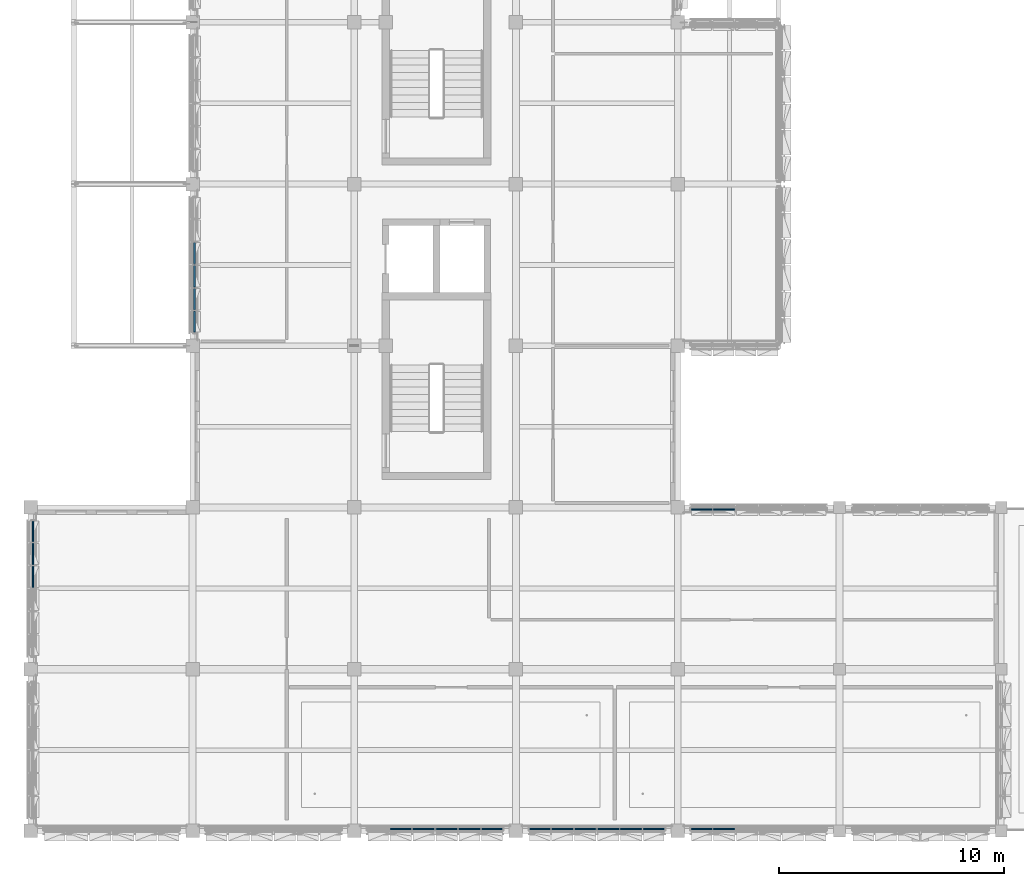
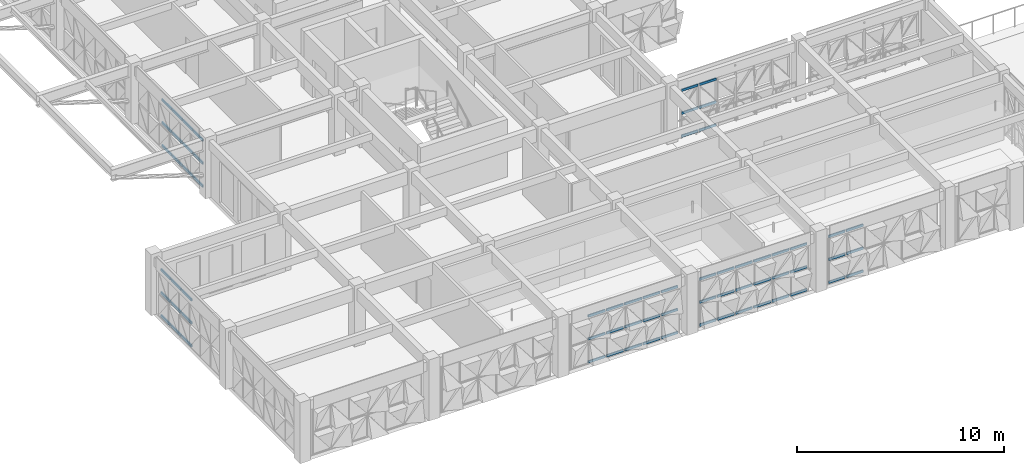
# One storey, part 19 of 99: 66 members, 6 elements without a shape of their own.
"""IFC4 building model written with IfcOpenShell, lengths in metres."""

from ifc_helpers import new_model, si_unit, direction, frame, origin, origin_2d, place, context, subcontext, project, spatial, rectangle, extrude, material, material_profile, profile_set, type_object, element, aggregate, save


model = new_model("IFC4")

# Units and contexts
model_context = context("Model", 3, precision=1e-05, world=origin(), true_north=direction((0.0, 1.0)))
body_context = subcontext(model_context, "Body", "Model", "MODEL_VIEW")
ifc_project = project(units=[si_unit("LENGTHUNIT", "METRE"), si_unit("AREAUNIT", "SQUARE_METRE"), si_unit("VOLUMEUNIT", "CUBIC_METRE"), si_unit("PLANEANGLEUNIT", "RADIAN"), si_unit("MASSUNIT", "GRAM", prefix="KILO")], contexts=[model_context])

# Site, building, storey
site_placement = place(None, origin())
site = spatial("IfcSite", under=ifc_project, at=site_placement, CompositionType="ELEMENT")
building_placement = place(site_placement, origin())
building = spatial("IfcBuilding", under=site, at=building_placement, Name="Alvorim Cloister Faculty of Sciences", CompositionType="ELEMENT")
storey_placement = place(building_placement, frame((0.0, 0.0, 12.14990234375)))
storey = spatial("IfcBuildingStorey", under=building, at=storey_placement, Name="L03", CompositionType="ELEMENT", Elevation=12.14990234375)

# Curtain wall, members
ifc_material_1 = material(Name="Aluminium and Low-E Glass Curtain Wall", Category="aluminium")
curtain_wall_type = type_object("IfcCurtainWallType", Name="CW-TRI-6120x2850", PredefinedType="USERDEFINED", material=ifc_material_1)
curtain_wall_1_placement = place(storey_placement, origin())
curtain_wall_1 = element("IfcCurtainWall", 1, at=curtain_wall_1_placement, inside=storey, type_object=curtain_wall_type, Name="L03 Diagonal Cassette Curtain Wall CW-0100", ObjectType="UNITISED CURTAIN WALL", PredefinedType="USERDEFINED")
ifc_material_2 = material(Name="Aluminium Alloy 6063-T6", Category="aluminium")
ifc_material_profile = material_profile(ifc_material_2, rectangle(XDim=0.06494140625, YDim=0.139892578125, at=origin_2d()), Name="ALU-TRN-65x140")
ifc_profile_set = profile_set([ifc_material_profile], Name="Aluminium Alloy 6063-T6")
member_type = type_object("IfcMemberType", Name="CW-TRN-65x140", PredefinedType="USERDEFINED", material=ifc_profile_set)
member_1_placement = place(storey_placement, frame((7.2900390625, 22.205078125, 0.070068359375), z_axis=(0.0, 1.0, 0.0), x_axis=(-1.0, 0.0, 0.0)))
member_1 = element("IfcMember", 2, at=member_1_placement, type_object=member_type, Name="CW-0100 Transom 1.1", ObjectType="TRANSOM", PredefinedType="USERDEFINED", context=body_context, shape_type="SweptSolid", body=[
    extrude(rectangle(XDim=0.06494140625, YDim=0.139892578125, at=origin_2d()), origin(), (0.0, 0.0, 1.0), 0.92236328125),
])
member_2_placement = place(storey_placement, frame((7.2900390625, 22.205078125, 1.425048828125), z_axis=(0.0, 1.0, 0.0), x_axis=(-1.0, 0.0, 0.0)))
member_2 = element("IfcMember", 3, at=member_2_placement, type_object=member_type, Name="CW-0100 Transom 1.2", ObjectType="TRANSOM", PredefinedType="USERDEFINED", context=body_context, shape_type="SweptSolid", body=[
    extrude(rectangle(XDim=0.06494140625, YDim=0.139892578125, at=origin_2d()), origin(), (0.0, 0.0, 1.0), 0.92236328125),
])
member_3_placement = place(storey_placement, frame((7.2900390625, 22.205078125, 2.780029296875), z_axis=(0.0, 1.0, 0.0), x_axis=(-1.0, 0.0, 0.0)))
member_3 = element("IfcMember", 4, at=member_3_placement, type_object=member_type, Name="CW-0100 Transom 1.3", ObjectType="TRANSOM", PredefinedType="USERDEFINED", context=body_context, shape_type="SweptSolid", body=[
    extrude(rectangle(XDim=0.06494140625, YDim=0.139892578125, at=origin_2d()), origin(), (0.0, 0.0, 1.0), 0.92236328125),
])
member_4_placement = place(storey_placement, frame((7.2900390625, 23.1923828125, 0.070068359375), z_axis=(0.0, 1.0, 0.0), x_axis=(-1.0, 0.0, 0.0)))
member_4 = element("IfcMember", 5, at=member_4_placement, type_object=member_type, Name="CW-0100 Transom 2.1", ObjectType="TRANSOM", PredefinedType="USERDEFINED", context=body_context, shape_type="SweptSolid", body=[
    extrude(rectangle(XDim=0.06494140625, YDim=0.139892578125, at=origin_2d()), origin(), (0.0, 0.0, 1.0), 0.955078125),
])
member_5_placement = place(storey_placement, frame((7.2900390625, 23.1923828125, 1.425048828125), z_axis=(0.0, 1.0, 0.0), x_axis=(-1.0, 0.0, 0.0)))
member_5 = element("IfcMember", 6, at=member_5_placement, type_object=member_type, Name="CW-0100 Transom 2.2", ObjectType="TRANSOM", PredefinedType="USERDEFINED", context=body_context, shape_type="SweptSolid", body=[
    extrude(rectangle(XDim=0.06494140625, YDim=0.139892578125, at=origin_2d()), origin(), (0.0, 0.0, 1.0), 0.955078125),
])
member_6_placement = place(storey_placement, frame((7.2900390625, 23.1923828125, 2.780029296875), z_axis=(0.0, 1.0, 0.0), x_axis=(-1.0, 0.0, 0.0)))
member_6 = element("IfcMember", 7, at=member_6_placement, type_object=member_type, Name="CW-0100 Transom 2.3", ObjectType="TRANSOM", PredefinedType="USERDEFINED", context=body_context, shape_type="SweptSolid", body=[
    extrude(rectangle(XDim=0.06494140625, YDim=0.139892578125, at=origin_2d()), origin(), (0.0, 0.0, 1.0), 0.955078125),
])
member_7_placement = place(storey_placement, frame((7.2900390625, 24.21240234375, 0.070068359375), z_axis=(0.0, 1.0, 0.0), x_axis=(-1.0, 0.0, 0.0)))
member_7 = element("IfcMember", 8, at=member_7_placement, type_object=member_type, Name="CW-0100 Transom 3.1", ObjectType="TRANSOM", PredefinedType="USERDEFINED", context=body_context, shape_type="SweptSolid", body=[
    extrude(rectangle(XDim=0.06494140625, YDim=0.139892578125, at=origin_2d()), origin(), (0.0, 0.0, 1.0), 0.955078125),
])
member_8_placement = place(storey_placement, frame((7.2900390625, 24.21240234375, 1.425048828125), z_axis=(0.0, 1.0, 0.0), x_axis=(-1.0, 0.0, 0.0)))
member_8 = element("IfcMember", 9, at=member_8_placement, type_object=member_type, Name="CW-0100 Transom 3.2", ObjectType="TRANSOM", PredefinedType="USERDEFINED", context=body_context, shape_type="SweptSolid", body=[
    extrude(rectangle(XDim=0.06494140625, YDim=0.139892578125, at=origin_2d()), origin(), (0.0, 0.0, 1.0), 0.955078125),
])
member_9_placement = place(storey_placement, frame((7.2900390625, 24.21240234375, 2.780029296875), z_axis=(0.0, 1.0, 0.0), x_axis=(-1.0, 0.0, 0.0)))
member_9 = element("IfcMember", 10, at=member_9_placement, type_object=member_type, Name="CW-0100 Transom 3.3", ObjectType="TRANSOM", PredefinedType="USERDEFINED", context=body_context, shape_type="SweptSolid", body=[
    extrude(rectangle(XDim=0.06494140625, YDim=0.139892578125, at=origin_2d()), origin(), (0.0, 0.0, 1.0), 0.955078125),
])
member_10_placement = place(storey_placement, frame((7.2900390625, 25.232421875, 0.070068359375), z_axis=(0.0, 1.0, 0.0), x_axis=(-1.0, 0.0, 0.0)))
member_10 = element("IfcMember", 11, at=member_10_placement, type_object=member_type, Name="CW-0100 Transom 4.1", ObjectType="TRANSOM", PredefinedType="USERDEFINED", context=body_context, shape_type="SweptSolid", body=[
    extrude(rectangle(XDim=0.06494140625, YDim=0.139892578125, at=origin_2d()), origin(), (0.0, 0.0, 1.0), 0.955078125),
])
member_11_placement = place(storey_placement, frame((7.2900390625, 25.232421875, 1.425048828125), z_axis=(0.0, 1.0, 0.0), x_axis=(-1.0, 0.0, 0.0)))
member_11 = element("IfcMember", 12, at=member_11_placement, type_object=member_type, Name="CW-0100 Transom 4.2", ObjectType="TRANSOM", PredefinedType="USERDEFINED", context=body_context, shape_type="SweptSolid", body=[
    extrude(rectangle(XDim=0.06494140625, YDim=0.139892578125, at=origin_2d()), origin(), (0.0, 0.0, 1.0), 0.955078125),
])
member_12_placement = place(storey_placement, frame((7.2900390625, 25.232421875, 2.780029296875), z_axis=(0.0, 1.0, 0.0), x_axis=(-1.0, 0.0, 0.0)))
member_12 = element("IfcMember", 13, at=member_12_placement, type_object=member_type, Name="CW-0100 Transom 4.3", ObjectType="TRANSOM", PredefinedType="USERDEFINED", context=body_context, shape_type="SweptSolid", body=[
    extrude(rectangle(XDim=0.06494140625, YDim=0.139892578125, at=origin_2d()), origin(), (0.0, 0.0, 1.0), 0.955078125),
])
aggregate(curtain_wall_1, [member_1, member_2, member_3, member_4, member_5, member_6, member_7, member_8, member_9, member_10, member_11, member_12])

curtain_wall_2_placement = place(storey_placement, origin())
curtain_wall_2 = element("IfcCurtainWall", 14, at=curtain_wall_2_placement, inside=storey, type_object=curtain_wall_type, Name="L03 Diagonal Cassette Curtain Wall CW-0144", ObjectType="UNITISED CURTAIN WALL", PredefinedType="USERDEFINED")
member_13_placement = place(storey_placement, frame((29.405029296875, 14.31005859375, 0.070068359375), z_axis=(1.0, 0.0, 0.0), x_axis=(0.0, 1.0, 0.0)))
member_13 = element("IfcMember", 15, at=member_13_placement, type_object=member_type, Name="CW-0144 Transom 1.1", ObjectType="TRANSOM", PredefinedType="USERDEFINED", context=body_context, shape_type="SweptSolid", body=[
    extrude(rectangle(XDim=0.06494140625, YDim=0.139892578125, at=origin_2d()), origin(), (0.0, 0.0, 1.0), 0.92236328125),
])
member_14_placement = place(storey_placement, frame((29.405029296875, 14.31005859375, 1.425048828125), z_axis=(1.0, 0.0, 0.0), x_axis=(0.0, 1.0, 0.0)))
member_14 = element("IfcMember", 16, at=member_14_placement, type_object=member_type, Name="CW-0144 Transom 1.2", ObjectType="TRANSOM", PredefinedType="USERDEFINED", context=body_context, shape_type="SweptSolid", body=[
    extrude(rectangle(XDim=0.06494140625, YDim=0.139892578125, at=origin_2d()), origin(), (0.0, 0.0, 1.0), 0.92236328125),
])
member_15_placement = place(storey_placement, frame((29.405029296875, 14.31005859375, 2.780029296875), z_axis=(1.0, 0.0, 0.0), x_axis=(0.0, 1.0, 0.0)))
member_15 = element("IfcMember", 17, at=member_15_placement, type_object=member_type, Name="CW-0144 Transom 1.3", ObjectType="TRANSOM", PredefinedType="USERDEFINED", context=body_context, shape_type="SweptSolid", body=[
    extrude(rectangle(XDim=0.06494140625, YDim=0.139892578125, at=origin_2d()), origin(), (0.0, 0.0, 1.0), 0.92236328125),
])
member_16_placement = place(storey_placement, frame((30.392578125, 14.31005859375, 0.070068359375), z_axis=(1.0, 0.0, 0.0), x_axis=(0.0, 1.0, 0.0)))
member_16 = element("IfcMember", 18, at=member_16_placement, type_object=member_type, Name="CW-0144 Transom 2.1", ObjectType="TRANSOM", PredefinedType="USERDEFINED", context=body_context, shape_type="SweptSolid", body=[
    extrude(rectangle(XDim=0.06494140625, YDim=0.139892578125, at=origin_2d()), origin(), (0.0, 0.0, 1.0), 0.954833984375),
])
member_17_placement = place(storey_placement, frame((30.392578125, 14.31005859375, 1.425048828125), z_axis=(1.0, 0.0, 0.0), x_axis=(0.0, 1.0, 0.0)))
member_17 = element("IfcMember", 19, at=member_17_placement, type_object=member_type, Name="CW-0144 Transom 2.2", ObjectType="TRANSOM", PredefinedType="USERDEFINED", context=body_context, shape_type="SweptSolid", body=[
    extrude(rectangle(XDim=0.06494140625, YDim=0.139892578125, at=origin_2d()), origin(), (0.0, 0.0, 1.0), 0.954833984375),
])
member_18_placement = place(storey_placement, frame((30.392578125, 14.31005859375, 2.780029296875), z_axis=(1.0, 0.0, 0.0), x_axis=(0.0, 1.0, 0.0)))
member_18 = element("IfcMember", 20, at=member_18_placement, type_object=member_type, Name="CW-0144 Transom 2.3", ObjectType="TRANSOM", PredefinedType="USERDEFINED", context=body_context, shape_type="SweptSolid", body=[
    extrude(rectangle(XDim=0.06494140625, YDim=0.139892578125, at=origin_2d()), origin(), (0.0, 0.0, 1.0), 0.954833984375),
])
aggregate(curtain_wall_2, [member_13, member_14, member_15, member_16, member_17, member_18])

curtain_wall_3_placement = place(storey_placement, origin())
curtain_wall_3 = element("IfcCurtainWall", 21, at=curtain_wall_3_placement, inside=storey, type_object=curtain_wall_type, Name="L03 Diagonal Cassette Curtain Wall CW-0148", ObjectType="UNITISED CURTAIN WALL", PredefinedType="USERDEFINED")
member_19_placement = place(storey_placement, frame((29.405029296875, 0.090087890625, 0.070068359375), z_axis=(1.0, 0.0, 0.0), x_axis=(0.0, 1.0, 0.0)))
member_19 = element("IfcMember", 22, at=member_19_placement, type_object=member_type, Name="CW-0148 Transom 1.1", ObjectType="TRANSOM", PredefinedType="USERDEFINED", context=body_context, shape_type="SweptSolid", body=[
    extrude(rectangle(XDim=0.06494140625, YDim=0.139892578125, at=origin_2d()), origin(), (0.0, 0.0, 1.0), 0.92236328125),
])
member_20_placement = place(storey_placement, frame((29.405029296875, 0.090087890625, 1.425048828125), z_axis=(1.0, 0.0, 0.0), x_axis=(0.0, 1.0, 0.0)))
member_20 = element("IfcMember", 23, at=member_20_placement, type_object=member_type, Name="CW-0148 Transom 1.2", ObjectType="TRANSOM", PredefinedType="USERDEFINED", context=body_context, shape_type="SweptSolid", body=[
    extrude(rectangle(XDim=0.06494140625, YDim=0.139892578125, at=origin_2d()), origin(), (0.0, 0.0, 1.0), 0.92236328125),
])
member_21_placement = place(storey_placement, frame((29.405029296875, 0.090087890625, 2.780029296875), z_axis=(1.0, 0.0, 0.0), x_axis=(0.0, 1.0, 0.0)))
member_21 = element("IfcMember", 24, at=member_21_placement, type_object=member_type, Name="CW-0148 Transom 1.3", ObjectType="TRANSOM", PredefinedType="USERDEFINED", context=body_context, shape_type="SweptSolid", body=[
    extrude(rectangle(XDim=0.06494140625, YDim=0.139892578125, at=origin_2d()), origin(), (0.0, 0.0, 1.0), 0.92236328125),
])
member_22_placement = place(storey_placement, frame((30.392578125, 0.090087890625, 0.070068359375), z_axis=(1.0, 0.0, 0.0), x_axis=(0.0, 1.0, 0.0)))
member_22 = element("IfcMember", 25, at=member_22_placement, type_object=member_type, Name="CW-0148 Transom 2.1", ObjectType="TRANSOM", PredefinedType="USERDEFINED", context=body_context, shape_type="SweptSolid", body=[
    extrude(rectangle(XDim=0.06494140625, YDim=0.139892578125, at=origin_2d()), origin(), (0.0, 0.0, 1.0), 0.954833984375),
])
member_23_placement = place(storey_placement, frame((30.392578125, 0.090087890625, 1.425048828125), z_axis=(1.0, 0.0, 0.0), x_axis=(0.0, 1.0, 0.0)))
member_23 = element("IfcMember", 26, at=member_23_placement, type_object=member_type, Name="CW-0148 Transom 2.2", ObjectType="TRANSOM", PredefinedType="USERDEFINED", context=body_context, shape_type="SweptSolid", body=[
    extrude(rectangle(XDim=0.06494140625, YDim=0.139892578125, at=origin_2d()), origin(), (0.0, 0.0, 1.0), 0.954833984375),
])
member_24_placement = place(storey_placement, frame((30.392578125, 0.090087890625, 2.780029296875), z_axis=(1.0, 0.0, 0.0), x_axis=(0.0, 1.0, 0.0)))
member_24 = element("IfcMember", 27, at=member_24_placement, type_object=member_type, Name="CW-0148 Transom 2.3", ObjectType="TRANSOM", PredefinedType="USERDEFINED", context=body_context, shape_type="SweptSolid", body=[
    extrude(rectangle(XDim=0.06494140625, YDim=0.139892578125, at=origin_2d()), origin(), (0.0, 0.0, 1.0), 0.954833984375),
])
aggregate(curtain_wall_3, [member_19, member_20, member_21, member_22, member_23, member_24])

curtain_wall_4_placement = place(storey_placement, origin())
curtain_wall_4 = element("IfcCurtainWall", 28, at=curtain_wall_4_placement, inside=storey, type_object=curtain_wall_type, Name="L03 Diagonal Cassette Curtain Wall CW-0149", ObjectType="UNITISED CURTAIN WALL", PredefinedType="USERDEFINED")
member_25_placement = place(storey_placement, frame((22.205078125, 0.090087890625, 0.070068359375), z_axis=(1.0, 0.0, 0.0), x_axis=(0.0, 1.0, 0.0)))
member_25 = element("IfcMember", 29, at=member_25_placement, type_object=member_type, Name="CW-0149 Transom 1.1", ObjectType="TRANSOM", PredefinedType="USERDEFINED", context=body_context, shape_type="SweptSolid", body=[
    extrude(rectangle(XDim=0.06494140625, YDim=0.139892578125, at=origin_2d()), origin(), (0.0, 0.0, 1.0), 0.92236328125),
])
member_26_placement = place(storey_placement, frame((22.205078125, 0.090087890625, 1.425048828125), z_axis=(1.0, 0.0, 0.0), x_axis=(0.0, 1.0, 0.0)))
member_26 = element("IfcMember", 30, at=member_26_placement, type_object=member_type, Name="CW-0149 Transom 1.2", ObjectType="TRANSOM", PredefinedType="USERDEFINED", context=body_context, shape_type="SweptSolid", body=[
    extrude(rectangle(XDim=0.06494140625, YDim=0.139892578125, at=origin_2d()), origin(), (0.0, 0.0, 1.0), 0.92236328125),
])
member_27_placement = place(storey_placement, frame((22.205078125, 0.090087890625, 2.780029296875), z_axis=(1.0, 0.0, 0.0), x_axis=(0.0, 1.0, 0.0)))
member_27 = element("IfcMember", 31, at=member_27_placement, type_object=member_type, Name="CW-0149 Transom 1.3", ObjectType="TRANSOM", PredefinedType="USERDEFINED", context=body_context, shape_type="SweptSolid", body=[
    extrude(rectangle(XDim=0.06494140625, YDim=0.139892578125, at=origin_2d()), origin(), (0.0, 0.0, 1.0), 0.92236328125),
])
member_28_placement = place(storey_placement, frame((23.1923828125, 0.090087890625, 0.070068359375), z_axis=(1.0, 0.0, 0.0), x_axis=(0.0, 1.0, 0.0)))
member_28 = element("IfcMember", 32, at=member_28_placement, type_object=member_type, Name="CW-0149 Transom 2.1", ObjectType="TRANSOM", PredefinedType="USERDEFINED", context=body_context, shape_type="SweptSolid", body=[
    extrude(rectangle(XDim=0.06494140625, YDim=0.139892578125, at=origin_2d()), origin(), (0.0, 0.0, 1.0), 0.955078125),
])
member_29_placement = place(storey_placement, frame((23.1923828125, 0.090087890625, 1.425048828125), z_axis=(1.0, 0.0, 0.0), x_axis=(0.0, 1.0, 0.0)))
member_29 = element("IfcMember", 33, at=member_29_placement, type_object=member_type, Name="CW-0149 Transom 2.2", ObjectType="TRANSOM", PredefinedType="USERDEFINED", context=body_context, shape_type="SweptSolid", body=[
    extrude(rectangle(XDim=0.06494140625, YDim=0.139892578125, at=origin_2d()), origin(), (0.0, 0.0, 1.0), 0.955078125),
])
member_30_placement = place(storey_placement, frame((23.1923828125, 0.090087890625, 2.780029296875), z_axis=(1.0, 0.0, 0.0), x_axis=(0.0, 1.0, 0.0)))
member_30 = element("IfcMember", 34, at=member_30_placement, type_object=member_type, Name="CW-0149 Transom 2.3", ObjectType="TRANSOM", PredefinedType="USERDEFINED", context=body_context, shape_type="SweptSolid", body=[
    extrude(rectangle(XDim=0.06494140625, YDim=0.139892578125, at=origin_2d()), origin(), (0.0, 0.0, 1.0), 0.955078125),
])
member_31_placement = place(storey_placement, frame((24.21240234375, 0.090087890625, 0.070068359375), z_axis=(1.0, 0.0, 0.0), x_axis=(0.0, 1.0, 0.0)))
member_31 = element("IfcMember", 35, at=member_31_placement, type_object=member_type, Name="CW-0149 Transom 3.1", ObjectType="TRANSOM", PredefinedType="USERDEFINED", context=body_context, shape_type="SweptSolid", body=[
    extrude(rectangle(XDim=0.06494140625, YDim=0.139892578125, at=origin_2d()), origin(), (0.0, 0.0, 1.0), 0.955078125),
])
member_32_placement = place(storey_placement, frame((24.21240234375, 0.090087890625, 1.425048828125), z_axis=(1.0, 0.0, 0.0), x_axis=(0.0, 1.0, 0.0)))
member_32 = element("IfcMember", 36, at=member_32_placement, type_object=member_type, Name="CW-0149 Transom 3.2", ObjectType="TRANSOM", PredefinedType="USERDEFINED", context=body_context, shape_type="SweptSolid", body=[
    extrude(rectangle(XDim=0.06494140625, YDim=0.139892578125, at=origin_2d()), origin(), (0.0, 0.0, 1.0), 0.955078125),
])
member_33_placement = place(storey_placement, frame((24.21240234375, 0.090087890625, 2.780029296875), z_axis=(1.0, 0.0, 0.0), x_axis=(0.0, 1.0, 0.0)))
member_33 = element("IfcMember", 37, at=member_33_placement, type_object=member_type, Name="CW-0149 Transom 3.3", ObjectType="TRANSOM", PredefinedType="USERDEFINED", context=body_context, shape_type="SweptSolid", body=[
    extrude(rectangle(XDim=0.06494140625, YDim=0.139892578125, at=origin_2d()), origin(), (0.0, 0.0, 1.0), 0.955078125),
])
member_34_placement = place(storey_placement, frame((25.232421875, 0.090087890625, 0.070068359375), z_axis=(1.0, 0.0, 0.0), x_axis=(0.0, 1.0, 0.0)))
member_34 = element("IfcMember", 38, at=member_34_placement, type_object=member_type, Name="CW-0149 Transom 4.1", ObjectType="TRANSOM", PredefinedType="USERDEFINED", context=body_context, shape_type="SweptSolid", body=[
    extrude(rectangle(XDim=0.06494140625, YDim=0.139892578125, at=origin_2d()), origin(), (0.0, 0.0, 1.0), 0.955078125),
])
member_35_placement = place(storey_placement, frame((25.232421875, 0.090087890625, 1.425048828125), z_axis=(1.0, 0.0, 0.0), x_axis=(0.0, 1.0, 0.0)))
member_35 = element("IfcMember", 39, at=member_35_placement, type_object=member_type, Name="CW-0149 Transom 4.2", ObjectType="TRANSOM", PredefinedType="USERDEFINED", context=body_context, shape_type="SweptSolid", body=[
    extrude(rectangle(XDim=0.06494140625, YDim=0.139892578125, at=origin_2d()), origin(), (0.0, 0.0, 1.0), 0.955078125),
])
member_36_placement = place(storey_placement, frame((25.232421875, 0.090087890625, 2.780029296875), z_axis=(1.0, 0.0, 0.0), x_axis=(0.0, 1.0, 0.0)))
member_36 = element("IfcMember", 40, at=member_36_placement, type_object=member_type, Name="CW-0149 Transom 4.3", ObjectType="TRANSOM", PredefinedType="USERDEFINED", context=body_context, shape_type="SweptSolid", body=[
    extrude(rectangle(XDim=0.06494140625, YDim=0.139892578125, at=origin_2d()), origin(), (0.0, 0.0, 1.0), 0.955078125),
])
member_37_placement = place(storey_placement, frame((26.25244140625, 0.090087890625, 0.070068359375), z_axis=(1.0, 0.0, 0.0), x_axis=(0.0, 1.0, 0.0)))
member_37 = element("IfcMember", 41, at=member_37_placement, type_object=member_type, Name="CW-0149 Transom 5.1", ObjectType="TRANSOM", PredefinedType="USERDEFINED", context=body_context, shape_type="SweptSolid", body=[
    extrude(rectangle(XDim=0.06494140625, YDim=0.139892578125, at=origin_2d()), origin(), (0.0, 0.0, 1.0), 0.955078125),
])
member_38_placement = place(storey_placement, frame((26.25244140625, 0.090087890625, 1.425048828125), z_axis=(1.0, 0.0, 0.0), x_axis=(0.0, 1.0, 0.0)))
member_38 = element("IfcMember", 42, at=member_38_placement, type_object=member_type, Name="CW-0149 Transom 5.2", ObjectType="TRANSOM", PredefinedType="USERDEFINED", context=body_context, shape_type="SweptSolid", body=[
    extrude(rectangle(XDim=0.06494140625, YDim=0.139892578125, at=origin_2d()), origin(), (0.0, 0.0, 1.0), 0.955078125),
])
member_39_placement = place(storey_placement, frame((26.25244140625, 0.090087890625, 2.780029296875), z_axis=(1.0, 0.0, 0.0), x_axis=(0.0, 1.0, 0.0)))
member_39 = element("IfcMember", 43, at=member_39_placement, type_object=member_type, Name="CW-0149 Transom 5.3", ObjectType="TRANSOM", PredefinedType="USERDEFINED", context=body_context, shape_type="SweptSolid", body=[
    extrude(rectangle(XDim=0.06494140625, YDim=0.139892578125, at=origin_2d()), origin(), (0.0, 0.0, 1.0), 0.955078125),
])
member_40_placement = place(storey_placement, frame((27.2724609375, 0.090087890625, 0.070068359375), z_axis=(1.0, 0.0, 0.0), x_axis=(0.0, 1.0, 0.0)))
member_40 = element("IfcMember", 44, at=member_40_placement, type_object=member_type, Name="CW-0149 Transom 6.1", ObjectType="TRANSOM", PredefinedType="USERDEFINED", context=body_context, shape_type="SweptSolid", body=[
    extrude(rectangle(XDim=0.06494140625, YDim=0.139892578125, at=origin_2d()), origin(), (0.0, 0.0, 1.0), 0.922607421875),
])
member_41_placement = place(storey_placement, frame((27.2724609375, 0.090087890625, 1.425048828125), z_axis=(1.0, 0.0, 0.0), x_axis=(0.0, 1.0, 0.0)))
member_41 = element("IfcMember", 45, at=member_41_placement, type_object=member_type, Name="CW-0149 Transom 6.2", ObjectType="TRANSOM", PredefinedType="USERDEFINED", context=body_context, shape_type="SweptSolid", body=[
    extrude(rectangle(XDim=0.06494140625, YDim=0.139892578125, at=origin_2d()), origin(), (0.0, 0.0, 1.0), 0.922607421875),
])
member_42_placement = place(storey_placement, frame((27.2724609375, 0.090087890625, 2.780029296875), z_axis=(1.0, 0.0, 0.0), x_axis=(0.0, 1.0, 0.0)))
member_42 = element("IfcMember", 46, at=member_42_placement, type_object=member_type, Name="CW-0149 Transom 6.3", ObjectType="TRANSOM", PredefinedType="USERDEFINED", context=body_context, shape_type="SweptSolid", body=[
    extrude(rectangle(XDim=0.06494140625, YDim=0.139892578125, at=origin_2d()), origin(), (0.0, 0.0, 1.0), 0.922607421875),
])
aggregate(curtain_wall_4, [member_25, member_26, member_27, member_28, member_29, member_30, member_31, member_32, member_33, member_34, member_35, member_36, member_37, member_38, member_39, member_40, member_41, member_42])

curtain_wall_5_placement = place(storey_placement, origin())
curtain_wall_5 = element("IfcCurtainWall", 47, at=curtain_wall_5_placement, inside=storey, type_object=curtain_wall_type, Name="L03 Diagonal Cassette Curtain Wall CW-0150", ObjectType="UNITISED CURTAIN WALL", PredefinedType="USERDEFINED")
member_43_placement = place(storey_placement, frame((15.992431640625, 0.090087890625, 0.070068359375), z_axis=(1.0, 0.0, 0.0), x_axis=(0.0, 1.0, 0.0)))
member_43 = element("IfcMember", 48, at=member_43_placement, type_object=member_type, Name="CW-0150 Transom 2.1", ObjectType="TRANSOM", PredefinedType="USERDEFINED", context=body_context, shape_type="SweptSolid", body=[
    extrude(rectangle(XDim=0.06494140625, YDim=0.139892578125, at=origin_2d()), origin(), (0.0, 0.0, 1.0), 0.955078125),
])
member_44_placement = place(storey_placement, frame((15.992431640625, 0.090087890625, 1.425048828125), z_axis=(1.0, 0.0, 0.0), x_axis=(0.0, 1.0, 0.0)))
member_44 = element("IfcMember", 49, at=member_44_placement, type_object=member_type, Name="CW-0150 Transom 2.2", ObjectType="TRANSOM", PredefinedType="USERDEFINED", context=body_context, shape_type="SweptSolid", body=[
    extrude(rectangle(XDim=0.06494140625, YDim=0.139892578125, at=origin_2d()), origin(), (0.0, 0.0, 1.0), 0.955078125),
])
member_45_placement = place(storey_placement, frame((15.992431640625, 0.090087890625, 2.780029296875), z_axis=(1.0, 0.0, 0.0), x_axis=(0.0, 1.0, 0.0)))
member_45 = element("IfcMember", 50, at=member_45_placement, type_object=member_type, Name="CW-0150 Transom 2.3", ObjectType="TRANSOM", PredefinedType="USERDEFINED", context=body_context, shape_type="SweptSolid", body=[
    extrude(rectangle(XDim=0.06494140625, YDim=0.139892578125, at=origin_2d()), origin(), (0.0, 0.0, 1.0), 0.955078125),
])
member_46_placement = place(storey_placement, frame((17.012451171875, 0.090087890625, 0.070068359375), z_axis=(1.0, 0.0, 0.0), x_axis=(0.0, 1.0, 0.0)))
member_46 = element("IfcMember", 51, at=member_46_placement, type_object=member_type, Name="CW-0150 Transom 3.1", ObjectType="TRANSOM", PredefinedType="USERDEFINED", context=body_context, shape_type="SweptSolid", body=[
    extrude(rectangle(XDim=0.06494140625, YDim=0.139892578125, at=origin_2d()), origin(), (0.0, 0.0, 1.0), 0.955078125),
])
member_47_placement = place(storey_placement, frame((17.012451171875, 0.090087890625, 1.425048828125), z_axis=(1.0, 0.0, 0.0), x_axis=(0.0, 1.0, 0.0)))
member_47 = element("IfcMember", 52, at=member_47_placement, type_object=member_type, Name="CW-0150 Transom 3.2", ObjectType="TRANSOM", PredefinedType="USERDEFINED", context=body_context, shape_type="SweptSolid", body=[
    extrude(rectangle(XDim=0.06494140625, YDim=0.139892578125, at=origin_2d()), origin(), (0.0, 0.0, 1.0), 0.955078125),
])
member_48_placement = place(storey_placement, frame((17.012451171875, 0.090087890625, 2.780029296875), z_axis=(1.0, 0.0, 0.0), x_axis=(0.0, 1.0, 0.0)))
member_48 = element("IfcMember", 53, at=member_48_placement, type_object=member_type, Name="CW-0150 Transom 3.3", ObjectType="TRANSOM", PredefinedType="USERDEFINED", context=body_context, shape_type="SweptSolid", body=[
    extrude(rectangle(XDim=0.06494140625, YDim=0.139892578125, at=origin_2d()), origin(), (0.0, 0.0, 1.0), 0.955078125),
])
member_49_placement = place(storey_placement, frame((18.032470703125, 0.090087890625, 0.070068359375), z_axis=(1.0, 0.0, 0.0), x_axis=(0.0, 1.0, 0.0)))
member_49 = element("IfcMember", 54, at=member_49_placement, type_object=member_type, Name="CW-0150 Transom 4.1", ObjectType="TRANSOM", PredefinedType="USERDEFINED", context=body_context, shape_type="SweptSolid", body=[
    extrude(rectangle(XDim=0.06494140625, YDim=0.139892578125, at=origin_2d()), origin(), (0.0, 0.0, 1.0), 0.955078125),
])
member_50_placement = place(storey_placement, frame((18.032470703125, 0.090087890625, 1.425048828125), z_axis=(1.0, 0.0, 0.0), x_axis=(0.0, 1.0, 0.0)))
member_50 = element("IfcMember", 55, at=member_50_placement, type_object=member_type, Name="CW-0150 Transom 4.2", ObjectType="TRANSOM", PredefinedType="USERDEFINED", context=body_context, shape_type="SweptSolid", body=[
    extrude(rectangle(XDim=0.06494140625, YDim=0.139892578125, at=origin_2d()), origin(), (0.0, 0.0, 1.0), 0.955078125),
])
member_51_placement = place(storey_placement, frame((18.032470703125, 0.090087890625, 2.780029296875), z_axis=(1.0, 0.0, 0.0), x_axis=(0.0, 1.0, 0.0)))
member_51 = element("IfcMember", 56, at=member_51_placement, type_object=member_type, Name="CW-0150 Transom 4.3", ObjectType="TRANSOM", PredefinedType="USERDEFINED", context=body_context, shape_type="SweptSolid", body=[
    extrude(rectangle(XDim=0.06494140625, YDim=0.139892578125, at=origin_2d()), origin(), (0.0, 0.0, 1.0), 0.955078125),
])
member_52_placement = place(storey_placement, frame((19.052490234375, 0.090087890625, 0.070068359375), z_axis=(1.0, 0.0, 0.0), x_axis=(0.0, 1.0, 0.0)))
member_52 = element("IfcMember", 57, at=member_52_placement, type_object=member_type, Name="CW-0150 Transom 5.1", ObjectType="TRANSOM", PredefinedType="USERDEFINED", context=body_context, shape_type="SweptSolid", body=[
    extrude(rectangle(XDim=0.06494140625, YDim=0.139892578125, at=origin_2d()), origin(), (0.0, 0.0, 1.0), 0.955078125),
])
member_53_placement = place(storey_placement, frame((19.052490234375, 0.090087890625, 1.425048828125), z_axis=(1.0, 0.0, 0.0), x_axis=(0.0, 1.0, 0.0)))
member_53 = element("IfcMember", 58, at=member_53_placement, type_object=member_type, Name="CW-0150 Transom 5.2", ObjectType="TRANSOM", PredefinedType="USERDEFINED", context=body_context, shape_type="SweptSolid", body=[
    extrude(rectangle(XDim=0.06494140625, YDim=0.139892578125, at=origin_2d()), origin(), (0.0, 0.0, 1.0), 0.955078125),
])
member_54_placement = place(storey_placement, frame((19.052490234375, 0.090087890625, 2.780029296875), z_axis=(1.0, 0.0, 0.0), x_axis=(0.0, 1.0, 0.0)))
member_54 = element("IfcMember", 59, at=member_54_placement, type_object=member_type, Name="CW-0150 Transom 5.3", ObjectType="TRANSOM", PredefinedType="USERDEFINED", context=body_context, shape_type="SweptSolid", body=[
    extrude(rectangle(XDim=0.06494140625, YDim=0.139892578125, at=origin_2d()), origin(), (0.0, 0.0, 1.0), 0.955078125),
])
member_55_placement = place(storey_placement, frame((20.072509765625, 0.090087890625, 0.070068359375), z_axis=(1.0, 0.0, 0.0), x_axis=(0.0, 1.0, 0.0)))
member_55 = element("IfcMember", 60, at=member_55_placement, type_object=member_type, Name="CW-0150 Transom 6.1", ObjectType="TRANSOM", PredefinedType="USERDEFINED", context=body_context, shape_type="SweptSolid", body=[
    extrude(rectangle(XDim=0.06494140625, YDim=0.139892578125, at=origin_2d()), origin(), (0.0, 0.0, 1.0), 0.922607421875),
])
member_56_placement = place(storey_placement, frame((20.072509765625, 0.090087890625, 1.425048828125), z_axis=(1.0, 0.0, 0.0), x_axis=(0.0, 1.0, 0.0)))
member_56 = element("IfcMember", 61, at=member_56_placement, type_object=member_type, Name="CW-0150 Transom 6.2", ObjectType="TRANSOM", PredefinedType="USERDEFINED", context=body_context, shape_type="SweptSolid", body=[
    extrude(rectangle(XDim=0.06494140625, YDim=0.139892578125, at=origin_2d()), origin(), (0.0, 0.0, 1.0), 0.922607421875),
])
member_57_placement = place(storey_placement, frame((20.072509765625, 0.090087890625, 2.780029296875), z_axis=(1.0, 0.0, 0.0), x_axis=(0.0, 1.0, 0.0)))
member_57 = element("IfcMember", 62, at=member_57_placement, type_object=member_type, Name="CW-0150 Transom 6.3", ObjectType="TRANSOM", PredefinedType="USERDEFINED", context=body_context, shape_type="SweptSolid", body=[
    extrude(rectangle(XDim=0.06494140625, YDim=0.139892578125, at=origin_2d()), origin(), (0.0, 0.0, 1.0), 0.922607421875),
])
aggregate(curtain_wall_5, [member_43, member_44, member_45, member_46, member_47, member_48, member_49, member_50, member_51, member_52, member_53, member_54, member_55, member_56, member_57])

curtain_wall_6_placement = place(storey_placement, origin())
curtain_wall_6 = element("IfcCurtainWall", 63, at=curtain_wall_6_placement, inside=storey, type_object=curtain_wall_type, Name="L03 Diagonal Cassette Curtain Wall CW-0154", ObjectType="UNITISED CURTAIN WALL", PredefinedType="USERDEFINED")
member_58_placement = place(storey_placement, frame((0.090087890625, 10.83251953125, 0.070068359375), z_axis=(0.0, 1.0, 0.0), x_axis=(-1.0, 0.0, 0.0)))
member_58 = element("IfcMember", 64, at=member_58_placement, type_object=member_type, Name="CW-0154 Transom 4.1", ObjectType="TRANSOM", PredefinedType="USERDEFINED", context=body_context, shape_type="SweptSolid", body=[
    extrude(rectangle(XDim=0.06494140625, YDim=0.139892578125, at=origin_2d()), origin(), (0.0, 0.0, 1.0), 0.955078125),
])
member_59_placement = place(storey_placement, frame((0.090087890625, 10.83251953125, 1.425048828125), z_axis=(0.0, 1.0, 0.0), x_axis=(-1.0, 0.0, 0.0)))
member_59 = element("IfcMember", 65, at=member_59_placement, type_object=member_type, Name="CW-0154 Transom 4.2", ObjectType="TRANSOM", PredefinedType="USERDEFINED", context=body_context, shape_type="SweptSolid", body=[
    extrude(rectangle(XDim=0.06494140625, YDim=0.139892578125, at=origin_2d()), origin(), (0.0, 0.0, 1.0), 0.955078125),
])
member_60_placement = place(storey_placement, frame((0.090087890625, 10.83251953125, 2.780029296875), z_axis=(0.0, 1.0, 0.0), x_axis=(-1.0, 0.0, 0.0)))
member_60 = element("IfcMember", 66, at=member_60_placement, type_object=member_type, Name="CW-0154 Transom 4.3", ObjectType="TRANSOM", PredefinedType="USERDEFINED", context=body_context, shape_type="SweptSolid", body=[
    extrude(rectangle(XDim=0.06494140625, YDim=0.139892578125, at=origin_2d()), origin(), (0.0, 0.0, 1.0), 0.955078125),
])
member_61_placement = place(storey_placement, frame((0.090087890625, 11.8525390625, 0.070068359375), z_axis=(0.0, 1.0, 0.0), x_axis=(-1.0, 0.0, 0.0)))
member_61 = element("IfcMember", 67, at=member_61_placement, type_object=member_type, Name="CW-0154 Transom 5.1", ObjectType="TRANSOM", PredefinedType="USERDEFINED", context=body_context, shape_type="SweptSolid", body=[
    extrude(rectangle(XDim=0.06494140625, YDim=0.139892578125, at=origin_2d()), origin(), (0.0, 0.0, 1.0), 0.955078125),
])
member_62_placement = place(storey_placement, frame((0.090087890625, 11.8525390625, 1.425048828125), z_axis=(0.0, 1.0, 0.0), x_axis=(-1.0, 0.0, 0.0)))
member_62 = element("IfcMember", 68, at=member_62_placement, type_object=member_type, Name="CW-0154 Transom 5.2", ObjectType="TRANSOM", PredefinedType="USERDEFINED", context=body_context, shape_type="SweptSolid", body=[
    extrude(rectangle(XDim=0.06494140625, YDim=0.139892578125, at=origin_2d()), origin(), (0.0, 0.0, 1.0), 0.955078125),
])
member_63_placement = place(storey_placement, frame((0.090087890625, 11.8525390625, 2.780029296875), z_axis=(0.0, 1.0, 0.0), x_axis=(-1.0, 0.0, 0.0)))
member_63 = element("IfcMember", 69, at=member_63_placement, type_object=member_type, Name="CW-0154 Transom 5.3", ObjectType="TRANSOM", PredefinedType="USERDEFINED", context=body_context, shape_type="SweptSolid", body=[
    extrude(rectangle(XDim=0.06494140625, YDim=0.139892578125, at=origin_2d()), origin(), (0.0, 0.0, 1.0), 0.955078125),
])
member_64_placement = place(storey_placement, frame((0.090087890625, 12.87255859375, 0.070068359375), z_axis=(0.0, 1.0, 0.0), x_axis=(-1.0, 0.0, 0.0)))
member_64 = element("IfcMember", 70, at=member_64_placement, type_object=member_type, Name="CW-0154 Transom 6.1", ObjectType="TRANSOM", PredefinedType="USERDEFINED", context=body_context, shape_type="SweptSolid", body=[
    extrude(rectangle(XDim=0.06494140625, YDim=0.139892578125, at=origin_2d()), origin(), (0.0, 0.0, 1.0), 0.92236328125),
])
member_65_placement = place(storey_placement, frame((0.090087890625, 12.87255859375, 1.425048828125), z_axis=(0.0, 1.0, 0.0), x_axis=(-1.0, 0.0, 0.0)))
member_65 = element("IfcMember", 71, at=member_65_placement, type_object=member_type, Name="CW-0154 Transom 6.2", ObjectType="TRANSOM", PredefinedType="USERDEFINED", context=body_context, shape_type="SweptSolid", body=[
    extrude(rectangle(XDim=0.06494140625, YDim=0.139892578125, at=origin_2d()), origin(), (0.0, 0.0, 1.0), 0.92236328125),
])
member_66_placement = place(storey_placement, frame((0.090087890625, 12.87255859375, 2.780029296875), z_axis=(0.0, 1.0, 0.0), x_axis=(-1.0, 0.0, 0.0)))
member_66 = element("IfcMember", 72, at=member_66_placement, type_object=member_type, Name="CW-0154 Transom 6.3", ObjectType="TRANSOM", PredefinedType="USERDEFINED", context=body_context, shape_type="SweptSolid", body=[
    extrude(rectangle(XDim=0.06494140625, YDim=0.139892578125, at=origin_2d()), origin(), (0.0, 0.0, 1.0), 0.92236328125),
])
aggregate(curtain_wall_6, [member_58, member_59, member_60, member_61, member_62, member_63, member_64, member_65, member_66])

save(model, "model.ifc")
